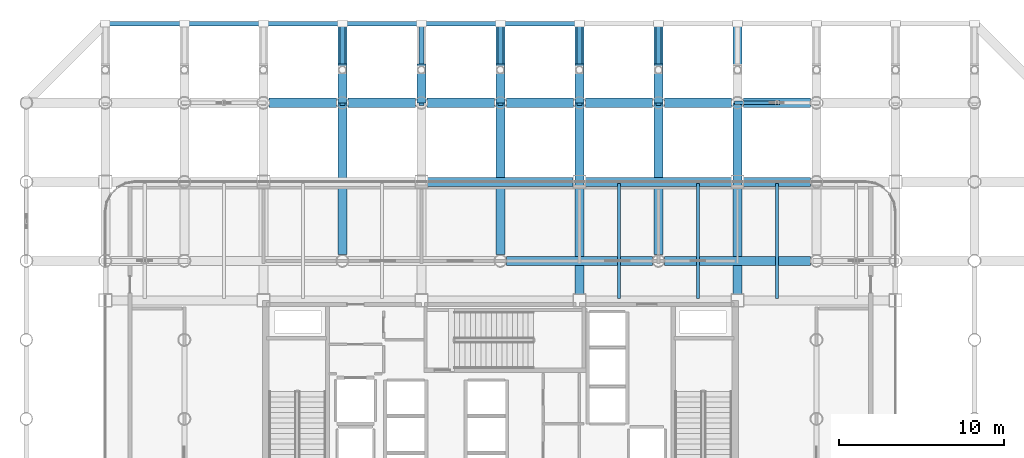
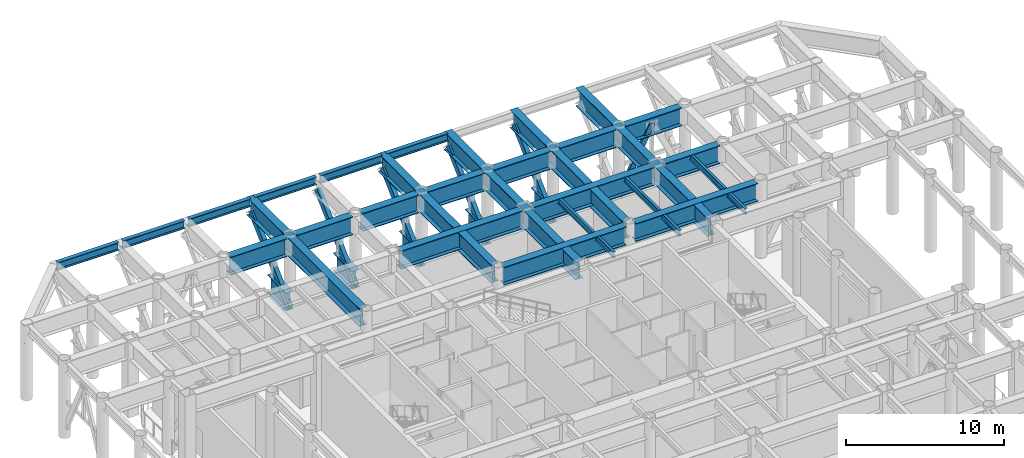
# One storey, part 9 of 19: 31 beams, 6 members.
"""IFC4 building model written with IfcOpenShell, lengths in metres."""

from ifc_helpers import new_model, si_unit, direction, frame, origin, origin_2d, place, context, subcontext, project, spatial, hollow_rectangle, i_section, extrude, material, material_profile, profile_set, type_object, element, save


model = new_model("IFC4")

# Units and contexts
model_context = context("Model", 3, precision=1e-05, world=origin(), true_north=direction((0.0, 1.0)))
body_context = subcontext(model_context, "Body", "Model", "MODEL_VIEW")
ifc_project = project(units=[si_unit("LENGTHUNIT", "METRE"), si_unit("AREAUNIT", "SQUARE_METRE"), si_unit("VOLUMEUNIT", "CUBIC_METRE"), si_unit("PLANEANGLEUNIT", "RADIAN"), si_unit("MASSUNIT", "GRAM", prefix="KILO")], contexts=[model_context])

# Site, building, storey
site_placement = place(None, origin())
site = spatial("IfcSite", under=ifc_project, at=site_placement, CompositionType="ELEMENT")
building_placement = place(site_placement, origin())
building = spatial("IfcBuilding", under=site, at=building_placement, Name="Kallvorn Hotel Tower", CompositionType="ELEMENT")
storey_placement = place(building_placement, frame((0.0, 0.0, 89.199951171875)))
storey = spatial("IfcBuildingStorey", under=building, at=storey_placement, Name="L21", CompositionType="ELEMENT", Elevation=89.199951171875)

# Beams
ifc_material_1 = material(Name="Structural steel S355JR", Category="steel")
ifc_material_profile_1 = material_profile(ifc_material_1, i_section(OverallWidth=0.300048828125, OverallDepth=0.60009765625, WebThickness=0.015380859375, FlangeThickness=0.030029296875, at=origin_2d()), Name="HE 600 B")
ifc_profile_set_1 = profile_set([ifc_material_profile_1], Name="Structural steel S355JR")
beam_type_1 = type_object("IfcBeamType", Name="BM_HE600B", PredefinedType="SPANDREL", material=ifc_profile_set_1)
for number, where, z_axis, x_axis, name in (
    (1, (-23.85009765625, 24.0, 5.52001953125), (1.0, 0.0, 0.0), (0.0, 1.0, 0.0), "L22 Perimeter Spandrel 176"),
    (2, (-19.050048828125, 24.0, 5.52001953125), (1.0, 0.0, 0.0), (0.0, 1.0, 0.0), "L22 Perimeter Spandrel 177"),
    (3, (-14.25, 24.0, 5.52001953125), (1.0, 0.0, 0.0), (0.0, 1.0, 0.0), "L22 Perimeter Spandrel 178"),
    (4, (-9.449951171875, 24.0, 5.52001953125), (1.0, 0.0, 0.0), (0.0, 1.0, 0.0), "L22 Perimeter Spandrel 179"),
    (5, (-4.64990234375, 24.0, 5.52001953125), (1.0, 0.0, 0.0), (0.0, 1.0, 0.0), "L22 Perimeter Spandrel 180"),
    (6, (0.14990234375, 24.0, 5.52001953125), (1.0, 0.0, 0.0), (0.0, 1.0, 0.0), "L22 Perimeter Spandrel 181"),
):
    element("IfcBeam", number, at=place(storey_placement, frame(where, z_axis=z_axis, x_axis=x_axis)), inside=storey, type_object=beam_type_1, Name=name, PredefinedType="SPANDREL", context=body_context, shape_type="SweptSolid", body=[
        extrude(i_section(OverallWidth=0.300048828125, OverallDepth=0.60009765625, WebThickness=0.015380859375, FlangeThickness=0.030029296875, at=origin_2d()), origin(), (0.0, 0.0, 1.0), 4.5),
    ])
ifc_material_2 = material(Name="Structural steel S355JR", Category="steel")
ifc_material_profile_2 = material_profile(ifc_material_2, i_section(OverallWidth=0.18994140625, OverallDepth=0.449951171875, WebThickness=0.009521484375, FlangeThickness=0.0146484375, at=origin_2d()), Name="IPE 450")
ifc_profile_set_2 = profile_set([ifc_material_profile_2], Name="Structural steel S355JR")
beam_type_2 = type_object("IfcBeamType", Name="BM_IPE450", PredefinedType="JOIST", material=ifc_profile_set_2)
for number, where, z_axis, x_axis, name in (
    (7, (7.199951171875, 7.300048828125, 5.594970703125), (0.0, 1.0, 0.0), (-1.0, 0.0, 0.0), "L22 Secondary Composite Joist 216"),
    (8, (12.0, 7.300048828125, 5.594970703125), (0.0, 1.0, 0.0), (-1.0, 0.0, 0.0), "L22 Secondary Composite Joist 218"),
    (9, (16.800048828125, 7.300048828125, 5.594970703125), (0.0, 1.0, 0.0), (-1.0, 0.0, 0.0), "L22 Secondary Composite Joist 220"),
):
    element("IfcBeam", number, at=place(storey_placement, frame(where, z_axis=z_axis, x_axis=x_axis)), inside=storey, type_object=beam_type_2, Name=name, PredefinedType="JOIST", context=body_context, shape_type="SweptSolid", body=[
        extrude(i_section(OverallWidth=0.18994140625, OverallDepth=0.449951171875, WebThickness=0.009521484375, FlangeThickness=0.0146484375, at=origin_2d()), origin(), (0.0, 0.0, 1.0), 7.0),
    ])
ifc_material_3 = material(Name="Structural steel S355JR", Category="steel")
ifc_material_profile_3 = material_profile(ifc_material_3, i_section(OverallWidth=0.550048828125, OverallDepth=1.39990234375, WebThickness=0.02490234375, FlangeThickness=0.044921875, at=origin_2d()), Name="PG 1400x550x25x45")
ifc_profile_set_3 = profile_set([ifc_material_profile_3], Name="Structural steel S355JR")
beam_type_3 = type_object("IfcBeamType", Name="BM_PG_1400", PredefinedType="BEAM", material=ifc_profile_set_3)
beam_1_placement = place(storey_placement, frame((-9.60009765625, 9.970947265625, 5.1201171875), z_axis=(0.0, 1.0, 0.0), x_axis=(-1.0, 0.0, 0.0)))
element("IfcBeam", 10, at=beam_1_placement, inside=storey, type_object=beam_type_3, Name="L22 Continuous Cantilever Transfer Girder 04", PredefinedType="BEAM", context=body_context, shape_type="SweptSolid", body=[
    extrude(i_section(OverallWidth=0.550048828125, OverallDepth=1.39990234375, WebThickness=0.02490234375, FlangeThickness=0.044921875, at=origin_2d()), origin(), (0.0, 0.0, 1.0), 14.208984375),
])
for number, where, z_axis, x_axis, name in (
    (11, (-9.60009765625, 19.199951171875, 0.719970703125), (0.0, 1.0, 0.0), (-1.0, 0.0, 0.0), "L22 Cantilever Haunch Corbel 04"),
    (12, (-4.800048828125, 19.199951171875, 0.719970703125), (0.0, 1.0, 0.0), (-1.0, 0.0, 0.0), "L22 Cantilever Haunch Corbel 05"),
):
    element("IfcBeam", number, at=place(storey_placement, frame(where, z_axis=z_axis, x_axis=x_axis)), inside=storey, type_object=beam_type_3, Name=name, PredefinedType="BEAM", context=body_context, shape_type="SweptSolid", body=[
        extrude(i_section(OverallWidth=0.550048828125, OverallDepth=1.39990234375, WebThickness=0.02490234375, FlangeThickness=0.044921875, at=origin_2d()), origin(), (0.0, 0.0, 1.0), 2.35009765625),
    ])
beam_2_placement = place(storey_placement, frame((0.0, 9.970947265625, 5.1201171875), z_axis=(0.0, 1.0, 0.0), x_axis=(-1.0, 0.0, 0.0)))
element("IfcBeam", 13, at=beam_2_placement, inside=storey, type_object=beam_type_3, Name="L22 Continuous Cantilever Transfer Girder 06", PredefinedType="BEAM", context=body_context, shape_type="SweptSolid", body=[
    extrude(i_section(OverallWidth=0.550048828125, OverallDepth=1.39990234375, WebThickness=0.02490234375, FlangeThickness=0.044921875, at=origin_2d()), origin(), (0.0, 0.0, 1.0), 14.208984375),
])
beam_3_placement = place(storey_placement, frame((0.0, 19.199951171875, 0.719970703125), z_axis=(0.0, 1.0, 0.0), x_axis=(-1.0, 0.0, 0.0)))
element("IfcBeam", 14, at=beam_3_placement, inside=storey, type_object=beam_type_3, Name="L22 Cantilever Haunch Corbel 06", PredefinedType="BEAM", context=body_context, shape_type="SweptSolid", body=[
    extrude(i_section(OverallWidth=0.550048828125, OverallDepth=1.39990234375, WebThickness=0.02490234375, FlangeThickness=0.044921875, at=origin_2d()), origin(), (0.0, 0.0, 1.0), 2.35009765625),
])
beam_4_placement = place(storey_placement, frame((4.800048828125, 7.590087890625, 5.1201171875), z_axis=(0.0, 1.0, 0.0), x_axis=(-1.0, 0.0, 0.0)))
element("IfcBeam", 15, at=beam_4_placement, inside=storey, type_object=beam_type_3, Name="L22 Continuous Cantilever Transfer Girder 07", PredefinedType="BEAM", context=body_context, shape_type="SweptSolid", body=[
    extrude(i_section(OverallWidth=0.550048828125, OverallDepth=1.39990234375, WebThickness=0.02490234375, FlangeThickness=0.044921875, at=origin_2d()), origin(), (0.0, 0.0, 1.0), 16.58984375),
])
beam_5_placement = place(storey_placement, frame((4.800048828125, 19.199951171875, 0.719970703125), z_axis=(0.0, 1.0, 0.0), x_axis=(-1.0, 0.0, 0.0)))
element("IfcBeam", 16, at=beam_5_placement, inside=storey, type_object=beam_type_3, Name="L22 Cantilever Haunch Corbel 07", PredefinedType="BEAM", context=body_context, shape_type="SweptSolid", body=[
    extrude(i_section(OverallWidth=0.550048828125, OverallDepth=1.39990234375, WebThickness=0.02490234375, FlangeThickness=0.044921875, at=origin_2d()), origin(), (0.0, 0.0, 1.0), 2.35009765625),
])
beam_6_placement = place(storey_placement, frame((9.60009765625, 9.970947265625, 5.1201171875), z_axis=(0.0, 1.0, 0.0), x_axis=(-1.0, 0.0, 0.0)))
element("IfcBeam", 17, at=beam_6_placement, inside=storey, type_object=beam_type_3, Name="L22 Continuous Cantilever Transfer Girder 08", PredefinedType="BEAM", context=body_context, shape_type="SweptSolid", body=[
    extrude(i_section(OverallWidth=0.550048828125, OverallDepth=1.39990234375, WebThickness=0.02490234375, FlangeThickness=0.044921875, at=origin_2d()), origin(), (0.0, 0.0, 1.0), 14.208984375),
])
beam_7_placement = place(storey_placement, frame((9.60009765625, 19.199951171875, 0.719970703125), z_axis=(0.0, 1.0, 0.0), x_axis=(-1.0, 0.0, 0.0)))
element("IfcBeam", 18, at=beam_7_placement, inside=storey, type_object=beam_type_3, Name="L22 Cantilever Haunch Corbel 08", PredefinedType="BEAM", context=body_context, shape_type="SweptSolid", body=[
    extrude(i_section(OverallWidth=0.550048828125, OverallDepth=1.39990234375, WebThickness=0.02490234375, FlangeThickness=0.044921875, at=origin_2d()), origin(), (0.0, 0.0, 1.0), 2.35009765625),
])
beam_8_placement = place(storey_placement, frame((14.39990234375, 7.590087890625, 5.1201171875), z_axis=(0.0, 1.0, 0.0), x_axis=(-1.0, 0.0, 0.0)))
element("IfcBeam", 19, at=beam_8_placement, inside=storey, type_object=beam_type_3, Name="L22 Continuous Cantilever Transfer Girder 09", PredefinedType="BEAM", context=body_context, shape_type="SweptSolid", body=[
    extrude(i_section(OverallWidth=0.550048828125, OverallDepth=1.39990234375, WebThickness=0.02490234375, FlangeThickness=0.044921875, at=origin_2d()), origin(), (0.0, 0.0, 1.0), 16.58984375),
])
for number, where, z_axis, x_axis, name in (
    (20, (0.35595703125, 9.60009765625, 5.1201171875), (1.0, 0.0, 0.0), (0.0, 1.0, 0.0), "L22 Primary X-Girder 59"),
    (21, (9.9560546875, 9.60009765625, 5.1201171875), (1.0, 0.0, 0.0), (0.0, 1.0, 0.0), "L22 Primary X-Girder 60"),
):
    element("IfcBeam", number, at=place(storey_placement, frame(where, z_axis=z_axis, x_axis=x_axis)), inside=storey, type_object=beam_type_3, Name=name, PredefinedType="BEAM", context=body_context, shape_type="SweptSolid", body=[
        extrude(i_section(OverallWidth=0.550048828125, OverallDepth=1.39990234375, WebThickness=0.02490234375, FlangeThickness=0.044921875, at=origin_2d()), origin(), (0.0, 0.0, 1.0), 8.887939453125),
    ])
beam_9_placement = place(storey_placement, frame((-4.425048828125, 14.39990234375, 5.1201171875), z_axis=(1.0, 0.0, 0.0), x_axis=(0.0, 1.0, 0.0)))
element("IfcBeam", 22, at=beam_9_placement, inside=storey, type_object=beam_type_3, Name="L22 Primary X-Girder 68", PredefinedType="BEAM", context=body_context, shape_type="SweptSolid", body=[
    extrude(i_section(OverallWidth=0.550048828125, OverallDepth=1.39990234375, WebThickness=0.02490234375, FlangeThickness=0.044921875, at=origin_2d()), origin(), (0.0, 0.0, 1.0), 8.85009765625),
])
beam_10_placement = place(storey_placement, frame((5.175048828125, 14.39990234375, 5.1201171875), z_axis=(1.0, 0.0, 0.0), x_axis=(0.0, 1.0, 0.0)))
element("IfcBeam", 23, at=beam_10_placement, inside=storey, type_object=beam_type_3, Name="L22 Primary X-Girder 69", PredefinedType="BEAM", context=body_context, shape_type="SweptSolid", body=[
    extrude(i_section(OverallWidth=0.550048828125, OverallDepth=1.39990234375, WebThickness=0.02490234375, FlangeThickness=0.044921875, at=origin_2d()), origin(), (0.0, 0.0, 1.0), 8.849853515625),
])
beam_11_placement = place(storey_placement, frame((14.77490234375, 14.39990234375, 5.1201171875), z_axis=(1.0, 0.0, 0.0), x_axis=(0.0, 1.0, 0.0)))
element("IfcBeam", 24, at=beam_11_placement, inside=storey, type_object=beam_type_3, Name="L22 Primary X-Girder 70", PredefinedType="BEAM", context=body_context, shape_type="SweptSolid", body=[
    extrude(i_section(OverallWidth=0.550048828125, OverallDepth=1.39990234375, WebThickness=0.02490234375, FlangeThickness=0.044921875, at=origin_2d()), origin(), (0.0, 0.0, 1.0), 4.069091796875),
])
for number, where, z_axis, x_axis, name in (
    (25, (-14.0439453125, 19.199951171875, 5.1201171875), (1.0, 0.0, 0.0), (0.0, 1.0, 0.0), "L22 Primary X-Girder 77"),
    (26, (-9.243896484375, 19.199951171875, 5.1201171875), (1.0, 0.0, 0.0), (0.0, 1.0, 0.0), "L22 Primary X-Girder 78"),
):
    element("IfcBeam", number, at=place(storey_placement, frame(where, z_axis=z_axis, x_axis=x_axis)), inside=storey, type_object=beam_type_3, Name=name, PredefinedType="BEAM", context=body_context, shape_type="SweptSolid", body=[
        extrude(i_section(OverallWidth=0.550048828125, OverallDepth=1.39990234375, WebThickness=0.02490234375, FlangeThickness=0.044921875, at=origin_2d()), origin(), (0.0, 0.0, 1.0), 4.087890625),
    ])
for number, where, z_axis, x_axis, name in (
    (27, (-4.444091796875, 19.199951171875, 5.1201171875), (1.0, 0.0, 0.0), (0.0, 1.0, 0.0), "L22 Primary X-Girder 79"),
    (28, (0.35595703125, 19.199951171875, 5.1201171875), (1.0, 0.0, 0.0), (0.0, 1.0, 0.0), "L22 Primary X-Girder 80"),
):
    element("IfcBeam", number, at=place(storey_placement, frame(where, z_axis=z_axis, x_axis=x_axis)), inside=storey, type_object=beam_type_3, Name=name, PredefinedType="BEAM", context=body_context, shape_type="SweptSolid", body=[
        extrude(i_section(OverallWidth=0.550048828125, OverallDepth=1.39990234375, WebThickness=0.02490234375, FlangeThickness=0.044921875, at=origin_2d()), origin(), (0.0, 0.0, 1.0), 4.088134765625),
    ])
for number, where, z_axis, x_axis, name in (
    (29, (5.156005859375, 19.199951171875, 5.1201171875), (1.0, 0.0, 0.0), (0.0, 1.0, 0.0), "L22 Primary X-Girder 81"),
    (30, (9.9560546875, 19.199951171875, 5.1201171875), (1.0, 0.0, 0.0), (0.0, 1.0, 0.0), "L22 Primary X-Girder 82"),
    (31, (14.756103515625, 19.199951171875, 5.1201171875), (1.0, 0.0, 0.0), (0.0, 1.0, 0.0), "L22 Primary X-Girder 83"),
):
    element("IfcBeam", number, at=place(storey_placement, frame(where, z_axis=z_axis, x_axis=x_axis)), inside=storey, type_object=beam_type_3, Name=name, PredefinedType="BEAM", context=body_context, shape_type="SweptSolid", body=[
        extrude(i_section(OverallWidth=0.550048828125, OverallDepth=1.39990234375, WebThickness=0.02490234375, FlangeThickness=0.044921875, at=origin_2d()), origin(), (0.0, 0.0, 1.0), 4.087890625),
    ])

# Members
ifc_material_4 = material(Name="Structural steel S355J2H", Category="steel")
ifc_material_profile_4 = material_profile(ifc_material_4, hollow_rectangle(XDim=0.199951171875, YDim=0.39990234375, WallThickness=0.02001953125, at=origin_2d()), Name="RHS 400x200x20")
ifc_profile_set_4 = profile_set([ifc_material_profile_4], Name="Structural steel S355J2H")
member_type_1 = type_object("IfcMemberType", Name="MBR_BELT_RHS400", PredefinedType="BRACE", material=ifc_profile_set_4)
member_placement = place(storey_placement, frame((14.40869140625, 19.199951171875, 0.3681640625), z_axis=(0.439185110191, 0.0, 0.898396593374), x_axis=(0.0, 1.0, 0.0)))
element("IfcMember", 32, at=member_placement, inside=storey, type_object=member_type_1, Name="L21 Belt Truss Diagonal 4A", PredefinedType="BRACE", context=body_context, shape_type="SweptSolid", body=[
    extrude(hollow_rectangle(XDim=0.199951171875, YDim=0.39990234375, WallThickness=0.02001953125, at=origin_2d()), origin(), (0.0, 0.0, 1.0), 5.425048828125),
])
ifc_material_5 = material(Name="Structural steel S355J2H", Category="steel")
ifc_material_profile_5 = material_profile(ifc_material_5, hollow_rectangle(XDim=0.300048828125, YDim=0.5, WallThickness=0.02490234375, at=origin_2d()), Name="RHS 500x300x25")
ifc_profile_set_5 = profile_set([ifc_material_profile_5], Name="Structural steel S355J2H")
member_type_2 = type_object("IfcMemberType", Name="MBR_OUTRIGGER_RHS500", PredefinedType="BRACE", material=ifc_profile_set_5)
for number, where, z_axis, x_axis, name in (
    (33, (-9.60009765625, 19.199951171875, 0.25), (0.0, 0.728023860888, 0.685551790879), (-1.0, 0.0, 0.0), "L22 Exoskeleton Cantilever Raking Strut 04"),
    (34, (-4.800048828125, 19.199951171875, 0.25), (0.0, 0.728023860888, 0.685551790879), (-1.0, 0.0, 0.0), "L22 Exoskeleton Cantilever Raking Strut 05"),
    (35, (0.0, 19.199951171875, 0.25), (0.0, 0.728023860888, 0.685551790879), (-1.0, 0.0, 0.0), "L22 Exoskeleton Cantilever Raking Strut 06"),
    (36, (4.800048828125, 19.199951171875, 0.25), (0.0, 0.728023860888, 0.685551790879), (-1.0, 0.0, 0.0), "L22 Exoskeleton Cantilever Raking Strut 07"),
    (37, (9.60009765625, 19.199951171875, 0.25), (0.0, 0.728023860888, 0.685551790879), (-1.0, 0.0, 0.0), "L22 Exoskeleton Cantilever Raking Strut 08"),
):
    element("IfcMember", number, at=place(storey_placement, frame(where, z_axis=z_axis, x_axis=x_axis)), inside=storey, type_object=member_type_2, Name=name, PredefinedType="BRACE", context=body_context, shape_type="SweptSolid", body=[
        extrude(hollow_rectangle(XDim=0.300048828125, YDim=0.5, WallThickness=0.02490234375, at=origin_2d()), origin(), (0.0, 0.0, 1.0), 6.59326171875),
    ])

save(model, "model.ifc")
